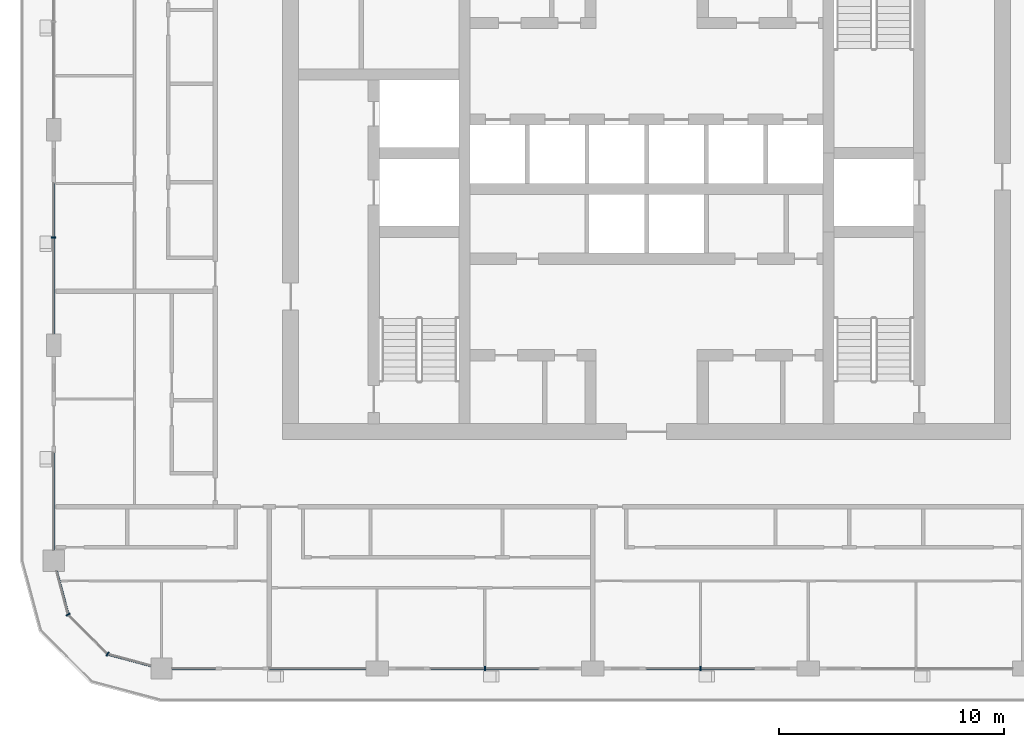
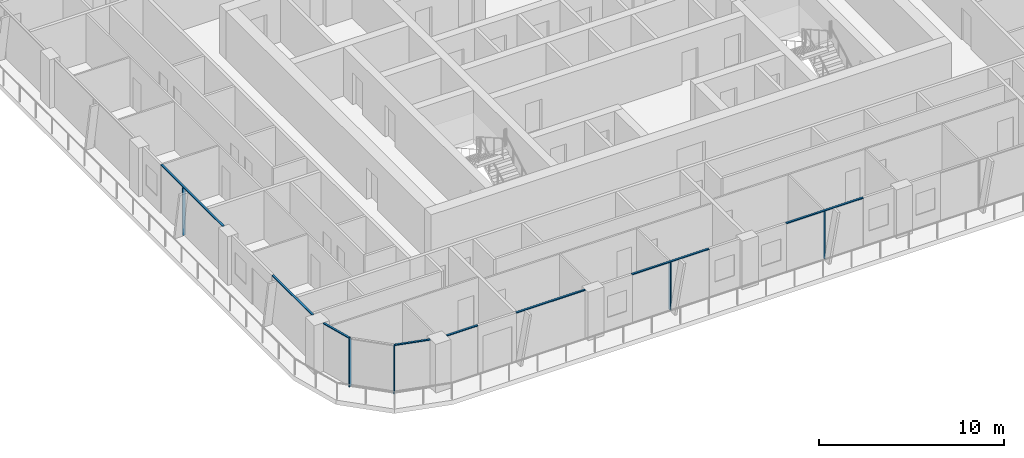
# One storey, part 2 of 23: 13 members, 6 elements without a shape of their own.
"""IFC4 building model written with IfcOpenShell, lengths in metres."""

from ifc_helpers import new_model, si_unit, direction, frame, origin, origin_2d, place, context, subcontext, project, spatial, rectangle, extrude, material, layer, layer_set, material_profile, profile_set, type_object, element, aggregate, save


model = new_model("IFC4")

# Units and contexts
model_context = context("Model", 3, precision=1e-05, world=origin(), true_north=direction((0.0, 1.0)))
body_context = subcontext(model_context, "Body", "Model", "MODEL_VIEW")
ifc_project = project(units=[si_unit("LENGTHUNIT", "METRE"), si_unit("AREAUNIT", "SQUARE_METRE"), si_unit("VOLUMEUNIT", "CUBIC_METRE"), si_unit("PLANEANGLEUNIT", "RADIAN"), si_unit("MASSUNIT", "GRAM", prefix="KILO")], contexts=[model_context])

# Site, building, storey
site_placement = place(None, origin())
site = spatial("IfcSite", under=ifc_project, at=site_placement, CompositionType="ELEMENT")
building_placement = place(site_placement, origin())
building = spatial("IfcBuilding", under=site, at=building_placement, Name="Madar Terraces", CompositionType="ELEMENT")
storey_placement = place(building_placement, frame((0.0, 0.0, 226.300048828125)))
storey = spatial("IfcBuildingStorey", under=building, at=storey_placement, Name="L59", CompositionType="ELEMENT", Elevation=226.300048828125)

# Curtain wall, member
ifc_material_1 = material(Name="Glass, ceramic frit dark grey, with black aluminium frame", Category="aluminium")
ifc_layer = layer(ifc_material_1, 0.199951171875)
ifc_layer_set = layer_set([ifc_layer], Name="Facade curtain wall, fritted glass")
curtain_wall_type = type_object("IfcCurtainWallType", Name="Facade curtain wall, fritted glass", PredefinedType="NOTDEFINED", material=ifc_layer_set)
curtain_wall_1_placement = place(storey_placement, origin())
curtain_wall_1 = element("IfcCurtainWall", 1, at=curtain_wall_1_placement, inside=storey, type_object=curtain_wall_type, Name="Outer skin curtain wall south bay 2", PredefinedType="NOTDEFINED")
ifc_material_2 = material(Name="Aluminium, black anodised", Category="aluminium")
ifc_material_profile_1 = material_profile(ifc_material_2, rectangle(XDim=0.199951171875, YDim=0.06005859375, at=origin_2d()), Name="Facade mullion 60x200")
ifc_profile_set_1 = profile_set([ifc_material_profile_1], Name="Aluminium, black anodised")
member_type_1 = type_object("IfcMemberType", Name="Facade mullion 60x200", PredefinedType="MULLION", material=ifc_profile_set_1)
member_1_placement = place(storey_placement, frame((24.0, 4.800048828125, 0.0), z_axis=(0.0, 0.0, 1.0), x_axis=(0.0, 1.0, 0.0)))
member_1 = element("IfcMember", 2, at=member_1_placement, type_object=member_type_1, Name="Mullion 1", PredefinedType="MULLION", context=body_context, shape_type="SweptSolid", body=[
    extrude(rectangle(XDim=0.199951171875, YDim=0.06005859375, at=origin_2d()), origin(), (0.0, 0.0, 1.0), 3.139892578125),
])

curtain_wall_2_placement = place(storey_placement, origin())
curtain_wall_2 = element("IfcCurtainWall", 3, at=curtain_wall_2_placement, inside=storey, type_object=curtain_wall_type, Name="Outer skin curtain wall south bay 3", PredefinedType="NOTDEFINED")
member_2_placement = place(storey_placement, frame((33.60009765625, 4.800048828125, 0.0), z_axis=(0.0, 0.0, 1.0), x_axis=(0.0, 1.0, 0.0)))
member_2 = element("IfcMember", 4, at=member_2_placement, type_object=member_type_1, Name="Mullion 1", PredefinedType="MULLION", context=body_context, shape_type="SweptSolid", body=[
    extrude(rectangle(XDim=0.199951171875, YDim=0.06005859375, at=origin_2d()), origin(), (0.0, 0.0, 1.0), 3.139892578125),
])

curtain_wall_3_placement = place(storey_placement, origin())
curtain_wall_3 = element("IfcCurtainWall", 5, at=curtain_wall_3_placement, inside=storey, type_object=curtain_wall_type, Name="Outer skin curtain wall west bay 3", PredefinedType="NOTDEFINED")
member_3_placement = place(storey_placement, frame((4.800048828125, 24.0, 0.0), z_axis=(0.0, 0.0, 1.0), x_axis=(1.0, 0.0, 0.0)))
member_3 = element("IfcMember", 6, at=member_3_placement, type_object=member_type_1, Name="Mullion 1", PredefinedType="MULLION", context=body_context, shape_type="SweptSolid", body=[
    extrude(rectangle(XDim=0.199951171875, YDim=0.06005859375, at=origin_2d()), origin(), (0.0, 0.0, 1.0), 3.139892578125),
])

# Curtain wall, members
curtain_wall_4_placement = place(storey_placement, origin())
curtain_wall_4 = element("IfcCurtainWall", 7, at=curtain_wall_4_placement, inside=storey, type_object=curtain_wall_type, Name="Outer skin curtain wall south-west corner", PredefinedType="NOTDEFINED")
member_4_placement = place(storey_placement, frame((5.443115234375, 7.199951171875, 0.0), z_axis=(0.0, 0.0, 1.0), x_axis=(0.866025409797, 0.499999989586, 0.0)))
member_4 = element("IfcMember", 8, at=member_4_placement, type_object=member_type_1, Name="Mullion 1", PredefinedType="MULLION", context=body_context, shape_type="SweptSolid", body=[
    extrude(rectangle(XDim=0.199951171875, YDim=0.06005859375, at=origin_2d()), origin(), (0.0, 0.0, 1.0), 3.139892578125),
])
member_5_placement = place(storey_placement, frame((7.199951171875, 5.443115234375, 0.0), z_axis=(0.0, 0.0, 1.0), x_axis=(0.499999989586, 0.866025409797, 0.0)))
member_5 = element("IfcMember", 9, at=member_5_placement, type_object=member_type_1, Name="Mullion 2", PredefinedType="MULLION", context=body_context, shape_type="SweptSolid", body=[
    extrude(rectangle(XDim=0.199951171875, YDim=0.06005859375, at=origin_2d()), origin(), (0.0, 0.0, 1.0), 3.139892578125),
])

curtain_wall_5_placement = place(storey_placement, origin())
curtain_wall_5 = element("IfcCurtainWall", 10, at=curtain_wall_5_placement, inside=storey, type_object=curtain_wall_type, Name="Outer skin curtain wall south bay 1", PredefinedType="NOTDEFINED")
ifc_material_3 = material(Name="Aluminium, black anodised", Category="aluminium")
ifc_material_profile_2 = material_profile(ifc_material_3, rectangle(XDim=0.1201171875, YDim=0.06005859375, at=origin_2d()), Name="Facade transom 60x120")
ifc_profile_set_2 = profile_set([ifc_material_profile_2], Name="Aluminium, black anodised")
member_type_2 = type_object("IfcMemberType", Name="Facade transom 60x120", PredefinedType="USERDEFINED", material=ifc_profile_set_2)
member_6_placement = place(storey_placement, frame((10.074951171875, 4.800048828125, 3.169921875), z_axis=(1.0, 0.0, 0.0), x_axis=(0.0, 1.0, 0.0)))
member_6 = element("IfcMember", 11, at=member_6_placement, type_object=member_type_2, Name="Transom 1", ObjectType="TRANSOM", PredefinedType="USERDEFINED", context=body_context, shape_type="SweptSolid", body=[
    extrude(rectangle(XDim=0.1201171875, YDim=0.06005859375, at=origin_2d()), origin(), (0.0, 0.0, 1.0), 1.925048828125),
])
member_7_placement = place(storey_placement, frame((14.39990234375, 4.800048828125, 3.169921875), z_axis=(1.0, 0.0, 0.0), x_axis=(0.0, 1.0, 0.0)))
member_7 = element("IfcMember", 12, at=member_7_placement, type_object=member_type_2, Name="Transom 2", ObjectType="TRANSOM", PredefinedType="USERDEFINED", context=body_context, shape_type="SweptSolid", body=[
    extrude(rectangle(XDim=0.1201171875, YDim=0.06005859375, at=origin_2d()), origin(), (0.0, 0.0, 1.0), 4.300048828125),
])
aggregate(curtain_wall_5, [member_6, member_7])

# Member
member_8_placement = place(storey_placement, frame((21.60009765625, 4.800048828125, 3.169921875), z_axis=(1.0, 0.0, 0.0), x_axis=(0.0, 1.0, 0.0)))
member_8 = element("IfcMember", 13, at=member_8_placement, type_object=member_type_2, Name="Transom 1", ObjectType="TRANSOM", PredefinedType="USERDEFINED", context=body_context, shape_type="SweptSolid", body=[
    extrude(rectangle(XDim=0.1201171875, YDim=0.06005859375, at=origin_2d()), origin(), (0.0, 0.0, 1.0), 4.7998046875),
])

aggregate(curtain_wall_1, [member_1, member_8])

member_9_placement = place(storey_placement, frame((31.199951171875, 4.800048828125, 3.169921875), z_axis=(1.0, 0.0, 0.0), x_axis=(0.0, 1.0, 0.0)))
member_9 = element("IfcMember", 14, at=member_9_placement, type_object=member_type_2, Name="Transom 1", ObjectType="TRANSOM", PredefinedType="USERDEFINED", context=body_context, shape_type="SweptSolid", body=[
    extrude(rectangle(XDim=0.1201171875, YDim=0.06005859375, at=origin_2d()), origin(), (0.0, 0.0, 1.0), 4.800048828125),
])

aggregate(curtain_wall_2, [member_2, member_9])

member_10_placement = place(storey_placement, frame((4.800048828125, 26.39990234375, 3.169921875), z_axis=(0.0, -1.0, 0.0), x_axis=(1.0, 0.0, 0.0)))
member_10 = element("IfcMember", 15, at=member_10_placement, type_object=member_type_2, Name="Transom 1", ObjectType="TRANSOM", PredefinedType="USERDEFINED", context=body_context, shape_type="SweptSolid", body=[
    extrude(rectangle(XDim=0.1201171875, YDim=0.06005859375, at=origin_2d()), origin(), (0.0, 0.0, 1.0), 6.699951171875),
])

aggregate(curtain_wall_3, [member_3, member_10])

# Curtain wall, member
curtain_wall_6_placement = place(storey_placement, origin())
curtain_wall_6 = element("IfcCurtainWall", 16, at=curtain_wall_6_placement, inside=storey, type_object=curtain_wall_type, Name="Outer skin curtain wall west bay 4", PredefinedType="NOTDEFINED")
member_11_placement = place(storey_placement, frame((4.800048828125, 14.39990234375, 3.169921875), z_axis=(0.0, -1.0, 0.0), x_axis=(1.0, 0.0, 0.0)))
member_11 = element("IfcMember", 17, at=member_11_placement, type_object=member_type_2, Name="Transom 1", ObjectType="TRANSOM", PredefinedType="USERDEFINED", context=body_context, shape_type="SweptSolid", body=[
    extrude(rectangle(XDim=0.1201171875, YDim=0.06005859375, at=origin_2d()), origin(), (0.0, 0.0, 1.0), 4.324951171875),
])
aggregate(curtain_wall_6, [member_11])

# Member
member_12_placement = place(storey_placement, frame((4.92724609375, 9.125, 3.169921875), z_axis=(0.258831412352, -0.96592251241, 0.0), x_axis=(0.96592251241, 0.258831412352, 0.0)))
member_12 = element("IfcMember", 18, at=member_12_placement, type_object=member_type_2, Name="Transom 1", ObjectType="TRANSOM", PredefinedType="USERDEFINED", context=body_context, shape_type="SweptSolid", body=[
    extrude(rectangle(XDim=0.1201171875, YDim=0.06005859375, at=origin_2d()), origin(), (0.0, 0.0, 1.0), 1.962890625),
])

member_13_placement = place(storey_placement, frame((7.22900390625, 5.435302734375, 3.169921875), z_axis=(0.96592251241, -0.258831412352, 0.0), x_axis=(0.258831412352, 0.96592251241, 0.0)))
member_13 = element("IfcMember", 19, at=member_13_placement, type_object=member_type_2, Name="Transom 3", ObjectType="TRANSOM", PredefinedType="USERDEFINED", context=body_context, shape_type="SweptSolid", body=[
    extrude(rectangle(XDim=0.1201171875, YDim=0.06005859375, at=origin_2d()), origin(), (0.0, 0.0, 1.0), 1.962890625),
])

aggregate(curtain_wall_4, [member_4, member_12, member_5, member_13])

save(model, "model.ifc")
